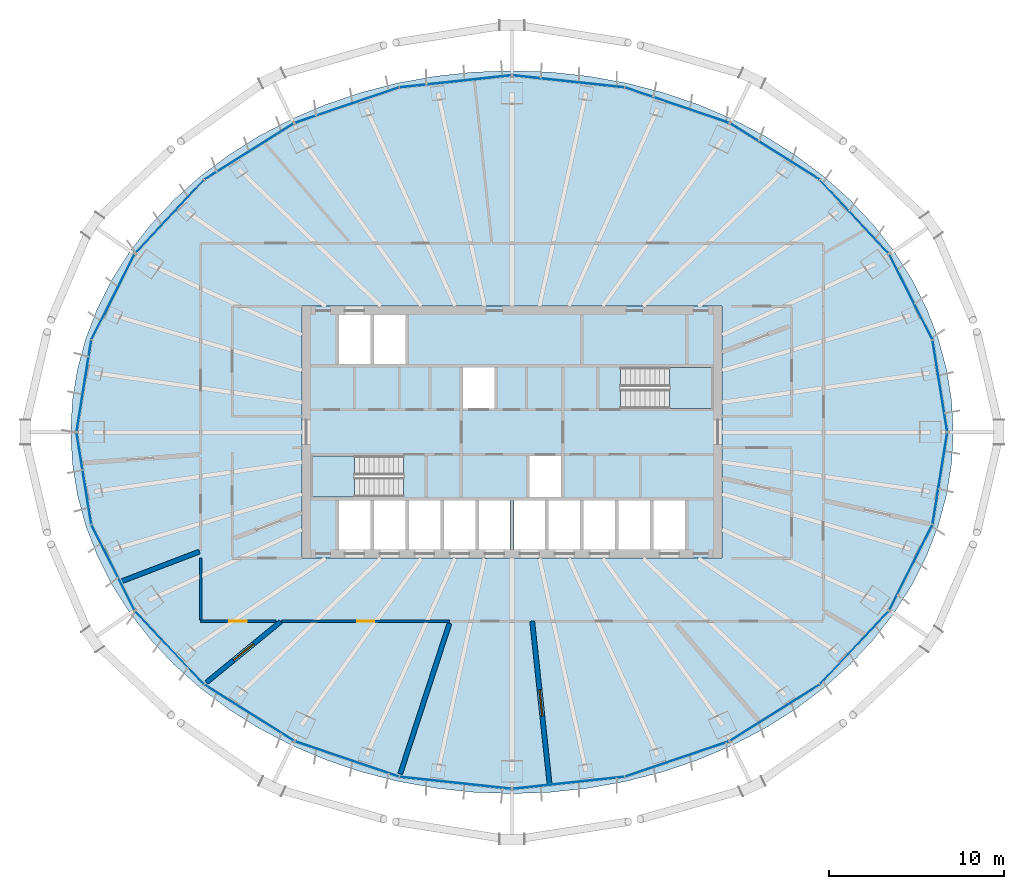
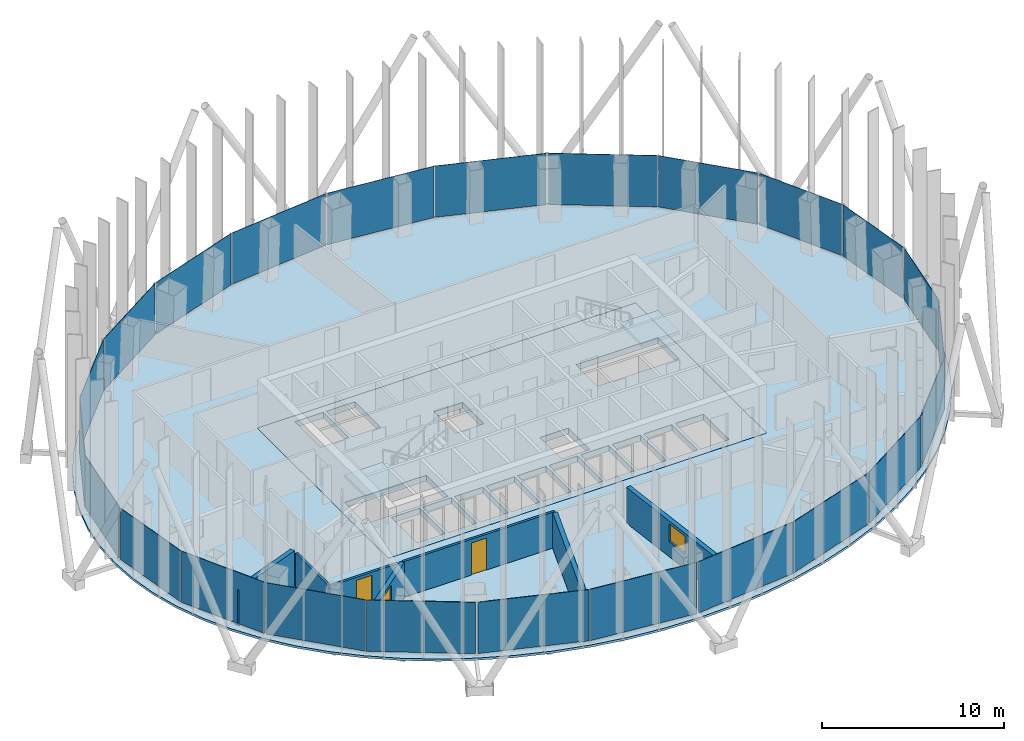
# One storey, part 7 of 19: 24 plates, 7 walls, 4 slabs, 2 doors, 2 windows, 4 openings, 14 elements without a shape of their own.
"""IFC4 building model written with IfcOpenShell, lengths in metres."""

from ifc_helpers import new_model, si_unit, direction, frame, frame_2d, origin, origin_2d, place, context, subcontext, project, spatial, polyline, rectangle, outline, extrude, material, layer, layer_set, type_object, element, fill, aggregate, save


model = new_model("IFC4")

# Units and contexts
model_context = context("Model", 3, precision=1e-05, world=origin(), true_north=direction((0.0, 1.0)))
body_context = subcontext(model_context, "Body", "Model", "MODEL_VIEW")
ifc_project = project(units=[si_unit("LENGTHUNIT", "METRE"), si_unit("AREAUNIT", "SQUARE_METRE"), si_unit("VOLUMEUNIT", "CUBIC_METRE"), si_unit("PLANEANGLEUNIT", "RADIAN"), si_unit("MASSUNIT", "GRAM", prefix="KILO")], contexts=[model_context])

# Site, building, storey
site_placement = place(None, origin())
site = spatial("IfcSite", under=ifc_project, at=site_placement, CompositionType="ELEMENT")
building_placement = place(site_placement, origin())
building = spatial("IfcBuilding", under=site, at=building_placement, Name="Siaravel Broadcast Tower", CompositionType="ELEMENT")
storey_placement = place(building_placement, frame((0.0, 0.0, 130.39990234375)))
storey = spatial("IfcBuildingStorey", under=building, at=storey_placement, Name="L31", CompositionType="ELEMENT", Elevation=130.39990234375)

# Curtain wall, plates
ifc_material_1 = material(Name="Aluminium 6063-T6", Category="aluminium")
ifc_layer_1 = layer(ifc_material_1, 0.199951171875)
ifc_layer_set_1 = layer_set([ifc_layer_1], Name="Aluminium 6063-T6")
curtain_wall_type = type_object("IfcCurtainWallType", Name="Unitised curtain wall, zone 2", PredefinedType="NOTDEFINED", material=ifc_layer_set_1)
curtain_wall_1_placement = place(storey_placement, origin())
curtain_wall_1 = element("IfcCurtainWall", 1, at=curtain_wall_1_placement, inside=storey, type_object=curtain_wall_type, Name="L31 Unitised curtain wall, zone 2 01", PredefinedType="NOTDEFINED")
ifc_material_2 = material(Name="Tinted laminated glass", Category="glass")
ifc_layer_2 = layer(ifc_material_2, 0.030029296875)
ifc_layer_set_2 = layer_set([ifc_layer_2], Name="Tinted laminated glass")
plate_type = type_object("IfcPlateType", Name="CW-Z2 glass panel", PredefinedType="CURTAIN_PANEL", material=ifc_layer_set_2)
plate_1_placement = place(storey_placement, frame((24.4599609375, 2.656494140625, 0.110107421875), z_axis=(0.0, 0.0, 1.0), x_axis=(-0.158684773, 0.987329298, 0.0)))
plate_1 = element("IfcPlate", 2, at=plate_1_placement, type_object=plate_type, Name="CW-Z2 glass panel", PredefinedType="CURTAIN_PANEL", context=body_context, shape_type="SweptSolid", body=[
    extrude(rectangle(XDim=5.251220703125, YDim=0.030029296875, at=origin_2d()), origin(), (0.0, 0.0, 1.0), 3.43994140625),
])
plate_2_placement = place(storey_placement, frame((22.801513671875, 7.7265625, 0.110107421875), z_axis=(0.0, 0.0, 1.0), x_axis=(-0.451259145, 0.892392954, 0.0)))
plate_2 = element("IfcPlate", 3, at=plate_2_placement, type_object=plate_type, Name="CW-Z2 glass panel", PredefinedType="CURTAIN_PANEL", context=body_context, shape_type="SweptSolid", body=[
    extrude(rectangle(XDim=5.415771484375, YDim=0.030029296875, at=origin_2d()), origin(), (0.0, 0.0, 1.0), 3.43994140625),
])
aggregate(curtain_wall_1, [plate_1, plate_2])

curtain_wall_2_placement = place(storey_placement, origin())
curtain_wall_2 = element("IfcCurtainWall", 4, at=curtain_wall_2_placement, inside=storey, type_object=curtain_wall_type, Name="L31 Unitised curtain wall, zone 2 02", PredefinedType="NOTDEFINED")
plate_3_placement = place(storey_placement, frame((19.56103515625, 12.324462890625, 0.110107421875), z_axis=(0.0, 0.0, 1.0), x_axis=(-0.683653326, 0.729806913, 0.0)))
plate_3 = element("IfcPlate", 5, at=plate_3_placement, type_object=plate_type, Name="CW-Z2 glass panel", PredefinedType="CURTAIN_PANEL", context=body_context, shape_type="SweptSolid", body=[
    extrude(rectangle(XDim=5.689453125, YDim=0.030029296875, at=origin_2d()), origin(), (0.0, 0.0, 1.0), 3.43994140625),
])
plate_4_placement = place(storey_placement, frame((15.03076171875, 16.035400390625, 0.110107421875), z_axis=(0.0, 0.0, 1.0), x_axis=(-0.846649374, 0.532151141, 0.0)))
plate_4 = element("IfcPlate", 6, at=plate_4_placement, type_object=plate_type, Name="CW-Z2 glass panel", PredefinedType="CURTAIN_PANEL", context=body_context, shape_type="SweptSolid", body=[
    extrude(rectangle(XDim=5.990234375, YDim=0.030029296875, at=origin_2d()), origin(), (0.0, 0.0, 1.0), 3.43994140625),
])
aggregate(curtain_wall_2, [plate_3, plate_4])

curtain_wall_3_placement = place(storey_placement, origin())
curtain_wall_3 = element("IfcCurtainWall", 7, at=curtain_wall_3_placement, inside=storey, type_object=curtain_wall_type, Name="L31 Unitised curtain wall, zone 2 03", PredefinedType="NOTDEFINED")
plate_5_placement = place(storey_placement, frame((9.424072265625, 18.68701171875, 0.110107421875), z_axis=(0.0, 0.0, 1.0), x_axis=(-0.946976749, 0.321302097, 0.0)))
plate_5 = element("IfcPlate", 8, at=plate_5_placement, type_object=plate_type, Name="CW-Z2 glass panel", PredefinedType="CURTAIN_PANEL", context=body_context, shape_type="SweptSolid", body=[
    extrude(rectangle(XDim=6.2392578125, YDim=0.030029296875, at=origin_2d()), origin(), (0.0, 0.0, 1.0), 3.43994140625),
])
plate_6_placement = place(storey_placement, frame((3.235595703125, 20.04541015625, 0.110107421875), z_axis=(0.0, 0.0, 1.0), x_axis=(-0.994235532, 0.107218035, 0.0)))
plate_6 = element("IfcPlate", 9, at=plate_6_placement, type_object=plate_type, Name="CW-Z2 glass panel", PredefinedType="CURTAIN_PANEL", context=body_context, shape_type="SweptSolid", body=[
    extrude(rectangle(XDim=6.37890625, YDim=0.030029296875, at=origin_2d()), origin(), (0.0, 0.0, 1.0), 3.43994140625),
])
aggregate(curtain_wall_3, [plate_5, plate_6])

curtain_wall_4_placement = place(storey_placement, origin())
curtain_wall_4 = element("IfcCurtainWall", 10, at=curtain_wall_4_placement, inside=storey, type_object=curtain_wall_type, Name="L31 Unitised curtain wall, zone 2 04", PredefinedType="NOTDEFINED")
plate_7_placement = place(storey_placement, frame((-3.235595703125, 20.04541015625, 0.110107421875), z_axis=(0.0, 0.0, 1.0), x_axis=(-0.994235532, -0.107218035, 0.0)))
plate_7 = element("IfcPlate", 11, at=plate_7_placement, type_object=plate_type, Name="CW-Z2 glass panel", PredefinedType="CURTAIN_PANEL", context=body_context, shape_type="SweptSolid", body=[
    extrude(rectangle(XDim=6.37890625, YDim=0.030029296875, at=origin_2d()), origin(), (0.0, 0.0, 1.0), 3.43994140625),
])
plate_8_placement = place(storey_placement, frame((-9.424072265625, 18.68701171875, 0.110107421875), z_axis=(0.0, 0.0, 1.0), x_axis=(-0.946976749, -0.321302097, 0.0)))
plate_8 = element("IfcPlate", 12, at=plate_8_placement, type_object=plate_type, Name="CW-Z2 glass panel", PredefinedType="CURTAIN_PANEL", context=body_context, shape_type="SweptSolid", body=[
    extrude(rectangle(XDim=6.2392578125, YDim=0.030029296875, at=origin_2d()), origin(), (0.0, 0.0, 1.0), 3.43994140625),
])
aggregate(curtain_wall_4, [plate_7, plate_8])

curtain_wall_5_placement = place(storey_placement, origin())
curtain_wall_5 = element("IfcCurtainWall", 13, at=curtain_wall_5_placement, inside=storey, type_object=curtain_wall_type, Name="L31 Unitised curtain wall, zone 2 05", PredefinedType="NOTDEFINED")
plate_9_placement = place(storey_placement, frame((-15.03076171875, 16.035400390625, 0.110107421875), z_axis=(0.0, 0.0, 1.0), x_axis=(-0.846649374, -0.532151141, 0.0)))
plate_9 = element("IfcPlate", 14, at=plate_9_placement, type_object=plate_type, Name="CW-Z2 glass panel", PredefinedType="CURTAIN_PANEL", context=body_context, shape_type="SweptSolid", body=[
    extrude(rectangle(XDim=5.990234375, YDim=0.030029296875, at=origin_2d()), origin(), (0.0, 0.0, 1.0), 3.43994140625),
])
plate_10_placement = place(storey_placement, frame((-19.56103515625, 12.324462890625, 0.110107421875), z_axis=(0.0, 0.0, 1.0), x_axis=(-0.683653326, -0.729806913, 0.0)))
plate_10 = element("IfcPlate", 15, at=plate_10_placement, type_object=plate_type, Name="CW-Z2 glass panel", PredefinedType="CURTAIN_PANEL", context=body_context, shape_type="SweptSolid", body=[
    extrude(rectangle(XDim=5.689453125, YDim=0.030029296875, at=origin_2d()), origin(), (0.0, 0.0, 1.0), 3.43994140625),
])
aggregate(curtain_wall_5, [plate_9, plate_10])

curtain_wall_6_placement = place(storey_placement, origin())
curtain_wall_6 = element("IfcCurtainWall", 16, at=curtain_wall_6_placement, inside=storey, type_object=curtain_wall_type, Name="L31 Unitised curtain wall, zone 2 06", PredefinedType="NOTDEFINED")
plate_11_placement = place(storey_placement, frame((-22.801513671875, 7.7265625, 0.110107421875), z_axis=(0.0, 0.0, 1.0), x_axis=(-0.451259145, -0.892392954, 0.0)))
plate_11 = element("IfcPlate", 17, at=plate_11_placement, type_object=plate_type, Name="CW-Z2 glass panel", PredefinedType="CURTAIN_PANEL", context=body_context, shape_type="SweptSolid", body=[
    extrude(rectangle(XDim=5.415771484375, YDim=0.030029296875, at=origin_2d()), origin(), (0.0, 0.0, 1.0), 3.43994140625),
])
plate_12_placement = place(storey_placement, frame((-24.4599609375, 2.656494140625, 0.110107421875), z_axis=(0.0, 0.0, 1.0), x_axis=(-0.158684773, -0.987329298, 0.0)))
plate_12 = element("IfcPlate", 18, at=plate_12_placement, type_object=plate_type, Name="CW-Z2 glass panel", PredefinedType="CURTAIN_PANEL", context=body_context, shape_type="SweptSolid", body=[
    extrude(rectangle(XDim=5.251220703125, YDim=0.030029296875, at=origin_2d()), origin(), (0.0, 0.0, 1.0), 3.43994140625),
])
aggregate(curtain_wall_6, [plate_11, plate_12])

curtain_wall_7_placement = place(storey_placement, origin())
curtain_wall_7 = element("IfcCurtainWall", 19, at=curtain_wall_7_placement, inside=storey, type_object=curtain_wall_type, Name="L31 Unitised curtain wall, zone 2 07", PredefinedType="NOTDEFINED")
plate_13_placement = place(storey_placement, frame((-24.4599609375, -2.656494140625, 0.110107421875), z_axis=(0.0, 0.0, 1.0), x_axis=(0.158684773, -0.987329298, 0.0)))
plate_13 = element("IfcPlate", 20, at=plate_13_placement, type_object=plate_type, Name="CW-Z2 glass panel", PredefinedType="CURTAIN_PANEL", context=body_context, shape_type="SweptSolid", body=[
    extrude(rectangle(XDim=5.251220703125, YDim=0.030029296875, at=origin_2d()), origin(), (0.0, 0.0, 1.0), 3.43994140625),
])
plate_14_placement = place(storey_placement, frame((-22.801513671875, -7.7265625, 0.110107421875), z_axis=(0.0, 0.0, 1.0), x_axis=(0.451259145, -0.892392954, 0.0)))
plate_14 = element("IfcPlate", 21, at=plate_14_placement, type_object=plate_type, Name="CW-Z2 glass panel", PredefinedType="CURTAIN_PANEL", context=body_context, shape_type="SweptSolid", body=[
    extrude(rectangle(XDim=5.415771484375, YDim=0.030029296875, at=origin_2d()), origin(), (0.0, 0.0, 1.0), 3.43994140625),
])
aggregate(curtain_wall_7, [plate_13, plate_14])

curtain_wall_8_placement = place(storey_placement, origin())
curtain_wall_8 = element("IfcCurtainWall", 22, at=curtain_wall_8_placement, inside=storey, type_object=curtain_wall_type, Name="L31 Unitised curtain wall, zone 2 08", PredefinedType="NOTDEFINED")
plate_15_placement = place(storey_placement, frame((-19.56103515625, -12.324462890625, 0.110107421875), z_axis=(0.0, 0.0, 1.0), x_axis=(0.683653326, -0.729806913, 0.0)))
plate_15 = element("IfcPlate", 23, at=plate_15_placement, type_object=plate_type, Name="CW-Z2 glass panel", PredefinedType="CURTAIN_PANEL", context=body_context, shape_type="SweptSolid", body=[
    extrude(rectangle(XDim=5.689453125, YDim=0.030029296875, at=origin_2d()), origin(), (0.0, 0.0, 1.0), 3.43994140625),
])
plate_16_placement = place(storey_placement, frame((-15.03076171875, -16.035400390625, 0.110107421875), z_axis=(0.0, 0.0, 1.0), x_axis=(0.846649374, -0.532151141, 0.0)))
plate_16 = element("IfcPlate", 24, at=plate_16_placement, type_object=plate_type, Name="CW-Z2 glass panel", PredefinedType="CURTAIN_PANEL", context=body_context, shape_type="SweptSolid", body=[
    extrude(rectangle(XDim=5.990234375, YDim=0.030029296875, at=origin_2d()), origin(), (0.0, 0.0, 1.0), 3.43994140625),
])
aggregate(curtain_wall_8, [plate_15, plate_16])

curtain_wall_9_placement = place(storey_placement, origin())
curtain_wall_9 = element("IfcCurtainWall", 25, at=curtain_wall_9_placement, inside=storey, type_object=curtain_wall_type, Name="L31 Unitised curtain wall, zone 2 09", PredefinedType="NOTDEFINED")
plate_17_placement = place(storey_placement, frame((-9.424072265625, -18.68701171875, 0.110107421875), z_axis=(0.0, 0.0, 1.0), x_axis=(0.946976749, -0.321302097, 0.0)))
plate_17 = element("IfcPlate", 26, at=plate_17_placement, type_object=plate_type, Name="CW-Z2 glass panel", PredefinedType="CURTAIN_PANEL", context=body_context, shape_type="SweptSolid", body=[
    extrude(rectangle(XDim=6.2392578125, YDim=0.030029296875, at=origin_2d()), origin(), (0.0, 0.0, 1.0), 3.43994140625),
])
plate_18_placement = place(storey_placement, frame((-3.235595703125, -20.04541015625, 0.110107421875), z_axis=(0.0, 0.0, 1.0), x_axis=(0.994235532, -0.107218035, 0.0)))
plate_18 = element("IfcPlate", 27, at=plate_18_placement, type_object=plate_type, Name="CW-Z2 glass panel", PredefinedType="CURTAIN_PANEL", context=body_context, shape_type="SweptSolid", body=[
    extrude(rectangle(XDim=6.37890625, YDim=0.030029296875, at=origin_2d()), origin(), (0.0, 0.0, 1.0), 3.43994140625),
])
aggregate(curtain_wall_9, [plate_17, plate_18])

curtain_wall_10_placement = place(storey_placement, origin())
curtain_wall_10 = element("IfcCurtainWall", 28, at=curtain_wall_10_placement, inside=storey, type_object=curtain_wall_type, Name="L31 Unitised curtain wall, zone 2 10", PredefinedType="NOTDEFINED")
plate_19_placement = place(storey_placement, frame((3.235595703125, -20.04541015625, 0.110107421875), z_axis=(0.0, 0.0, 1.0), x_axis=(0.994235532, 0.107218035, 0.0)))
plate_19 = element("IfcPlate", 29, at=plate_19_placement, type_object=plate_type, Name="CW-Z2 glass panel", PredefinedType="CURTAIN_PANEL", context=body_context, shape_type="SweptSolid", body=[
    extrude(rectangle(XDim=6.37890625, YDim=0.030029296875, at=origin_2d()), origin(), (0.0, 0.0, 1.0), 3.43994140625),
])
plate_20_placement = place(storey_placement, frame((9.424072265625, -18.68701171875, 0.110107421875), z_axis=(0.0, 0.0, 1.0), x_axis=(0.946976749, 0.321302097, 0.0)))
plate_20 = element("IfcPlate", 30, at=plate_20_placement, type_object=plate_type, Name="CW-Z2 glass panel", PredefinedType="CURTAIN_PANEL", context=body_context, shape_type="SweptSolid", body=[
    extrude(rectangle(XDim=6.2392578125, YDim=0.030029296875, at=origin_2d()), origin(), (0.0, 0.0, 1.0), 3.43994140625),
])
aggregate(curtain_wall_10, [plate_19, plate_20])

curtain_wall_11_placement = place(storey_placement, origin())
curtain_wall_11 = element("IfcCurtainWall", 31, at=curtain_wall_11_placement, inside=storey, type_object=curtain_wall_type, Name="L31 Unitised curtain wall, zone 2 11", PredefinedType="NOTDEFINED")
plate_21_placement = place(storey_placement, frame((15.03076171875, -16.035400390625, 0.110107421875), z_axis=(0.0, 0.0, 1.0), x_axis=(0.846649374, 0.532151141, 0.0)))
plate_21 = element("IfcPlate", 32, at=plate_21_placement, type_object=plate_type, Name="CW-Z2 glass panel", PredefinedType="CURTAIN_PANEL", context=body_context, shape_type="SweptSolid", body=[
    extrude(rectangle(XDim=5.990234375, YDim=0.030029296875, at=origin_2d()), origin(), (0.0, 0.0, 1.0), 3.43994140625),
])
plate_22_placement = place(storey_placement, frame((19.56103515625, -12.324462890625, 0.110107421875), z_axis=(0.0, 0.0, 1.0), x_axis=(0.683653326, 0.729806913, 0.0)))
plate_22 = element("IfcPlate", 33, at=plate_22_placement, type_object=plate_type, Name="CW-Z2 glass panel", PredefinedType="CURTAIN_PANEL", context=body_context, shape_type="SweptSolid", body=[
    extrude(rectangle(XDim=5.689453125, YDim=0.030029296875, at=origin_2d()), origin(), (0.0, 0.0, 1.0), 3.43994140625),
])
aggregate(curtain_wall_11, [plate_21, plate_22])

curtain_wall_12_placement = place(storey_placement, origin())
curtain_wall_12 = element("IfcCurtainWall", 34, at=curtain_wall_12_placement, inside=storey, type_object=curtain_wall_type, Name="L31 Unitised curtain wall, zone 2 12", PredefinedType="NOTDEFINED")
plate_23_placement = place(storey_placement, frame((22.801513671875, -7.7265625, 0.110107421875), z_axis=(0.0, 0.0, 1.0), x_axis=(0.451259145, 0.892392954, 0.0)))
plate_23 = element("IfcPlate", 35, at=plate_23_placement, type_object=plate_type, Name="CW-Z2 glass panel", PredefinedType="CURTAIN_PANEL", context=body_context, shape_type="SweptSolid", body=[
    extrude(rectangle(XDim=5.415771484375, YDim=0.030029296875, at=origin_2d()), origin(), (0.0, 0.0, 1.0), 3.43994140625),
])
plate_24_placement = place(storey_placement, frame((24.4599609375, -2.656494140625, 0.110107421875), z_axis=(0.0, 0.0, 1.0), x_axis=(0.158684773, 0.987329298, 0.0)))
plate_24 = element("IfcPlate", 36, at=plate_24_placement, type_object=plate_type, Name="CW-Z2 glass panel", PredefinedType="CURTAIN_PANEL", context=body_context, shape_type="SweptSolid", body=[
    extrude(rectangle(XDim=5.251220703125, YDim=0.030029296875, at=origin_2d()), origin(), (0.0, 0.0, 1.0), 3.43994140625),
])
aggregate(curtain_wall_12, [plate_23, plate_24])

# Slabs
ifc_material_3 = material(Name="Concrete C40/50", Category="concrete")
ifc_layer_3 = layer(ifc_material_3, 0.39990234375)
ifc_layer_set_3 = layer_set([ifc_layer_3], Name="Concrete C40/50")
slab_type_1 = type_object("IfcSlabType", Name="Core floor slab 400", PredefinedType="FLOOR", material=ifc_layer_set_3)
slab_1_placement = place(storey_placement, frame((0.0, 0.0, -0.39990234375)))
element("IfcSlab", 37, at=slab_1_placement, inside=storey, type_object=slab_type_1, Name="L31 core floor", PredefinedType="FLOOR", context=body_context, shape_type="SweptSolid", body=[
    extrude(outline(polyline([(-12.0, -7.199951171875), (-12.0, 7.199951171875), (12.0, 7.199951171875), (12.0, -7.199951171875), (-12.0, -7.199951171875)]), holes=[polyline([(11.3994140625, 1.3505859375), (11.3994140625, 3.699462890625), (6.200439453125, 3.699462890625), (6.200439453125, 1.3505859375), (11.3994140625, 1.3505859375)]), polyline([(9.89990234375, -3.89990234375), (8.10009765625, -3.89990234375), (8.10009765625, -6.699951171875), (9.89990234375, -6.699951171875), (9.89990234375, -3.89990234375)]), polyline([(7.89990234375, -3.89990234375), (6.10009765625, -3.89990234375), (6.10009765625, -6.699951171875), (7.89990234375, -6.699951171875), (7.89990234375, -3.89990234375)]), polyline([(5.89990234375, -3.89990234375), (4.10009765625, -3.89990234375), (4.10009765625, -6.699951171875), (5.89990234375, -6.699951171875), (5.89990234375, -3.89990234375)]), polyline([(3.89990234375, -3.89990234375), (2.10009765625, -3.89990234375), (2.10009765625, -6.699951171875), (3.89990234375, -6.699951171875), (3.89990234375, -3.89990234375)]), polyline([(2.800048828125, -1.35009765625), (1.0, -1.35009765625), (1.0, -3.699951171875), (2.800048828125, -3.699951171875), (2.800048828125, -1.35009765625)]), polyline([(1.89990234375, -3.89990234375), (0.10009765625, -3.89990234375), (0.10009765625, -6.699951171875), (1.89990234375, -6.699951171875), (1.89990234375, -3.89990234375)]), polyline([(-0.10009765625, -3.89990234375), (-1.89990234375, -3.89990234375), (-1.89990234375, -6.699951171875), (-0.10009765625, -6.699951171875), (-0.10009765625, -3.89990234375)]), polyline([(-1.0, 3.699951171875), (-2.800048828125, 3.699951171875), (-2.800048828125, 1.35009765625), (-1.0, 1.35009765625), (-1.0, 3.699951171875)]), polyline([(-2.10009765625, -3.89990234375), (-3.89990234375, -3.89990234375), (-3.89990234375, -6.699951171875), (-2.10009765625, -6.699951171875), (-2.10009765625, -3.89990234375)]), polyline([(-4.10009765625, -3.89990234375), (-5.89990234375, -3.89990234375), (-5.89990234375, -6.699951171875), (-4.10009765625, -6.699951171875), (-4.10009765625, -3.89990234375)]), polyline([(-6.10009765625, -3.89990234375), (-7.89990234375, -3.89990234375), (-7.89990234375, -6.699951171875), (-6.10009765625, -6.699951171875), (-6.10009765625, -3.89990234375)]), polyline([(-6.10009765625, 6.699951171875), (-7.89990234375, 6.699951171875), (-7.89990234375, 3.89990234375), (-6.10009765625, 3.89990234375), (-6.10009765625, 6.699951171875)]), polyline([(-11.3994140625, -1.3505859375), (-11.3994140625, -3.699462890625), (-6.200439453125, -3.699462890625), (-6.200439453125, -1.3505859375), (-11.3994140625, -1.3505859375)]), polyline([(-8.10009765625, -3.89990234375), (-9.89990234375, -3.89990234375), (-9.89990234375, -6.699951171875), (-8.10009765625, -6.699951171875), (-8.10009765625, -3.89990234375)]), polyline([(-8.10009765625, 6.699951171875), (-9.89990234375, 6.699951171875), (-9.89990234375, 3.89990234375), (-8.10009765625, 3.89990234375), (-8.10009765625, 6.699951171875)])]), origin(), (0.0, 0.0, 1.0), 0.39990234375),
])
ifc_layer_4 = layer(ifc_material_3, 0.14990234375)
ifc_layer_set_4 = layer_set([ifc_layer_4], Name="Concrete C40/50")
slab_type_2 = type_object("IfcSlabType", Name="SLB-FLOOR-150", PredefinedType="FLOOR", material=ifc_layer_set_4)
slab_2_placement = place(storey_placement, frame((0.0, 0.0, -0.14990234375)))
element("IfcSlab", 38, at=slab_2_placement, inside=storey, type_object=slab_type_2, Name="Floor slab", PredefinedType="FLOOR", context=body_context, shape_type="SweptSolid", body=[
    extrude(outline(polyline([(25.22119140625, 0.0), (25.125, 1.800537109375), (24.837890625, 3.58740234375), (24.36181640625, 5.346923828125), (23.7001953125, 7.06591796875), (22.858154296875, 8.730712890625), (21.842041015625, 10.329345703125), (20.659912109375, 11.849609375), (19.320556640625, 13.279296875), (17.833984375, 14.60791015625), (16.2119140625, 15.82568359375), (14.46630859375, 16.9228515625), (12.610595703125, 17.89111328125), (10.658935546875, 18.723388671875), (8.626220703125, 19.4130859375), (6.527587890625, 19.955078125), (4.379638671875, 20.344970703125), (2.1982421875, 20.580322265625), (0.0, 20.658935546875), (-2.1982421875, 20.580322265625), (-4.379638671875, 20.344970703125), (-6.527587890625, 19.955078125), (-8.626220703125, 19.4130859375), (-10.658935546875, 18.723388671875), (-12.610595703125, 17.89111328125), (-14.46630859375, 16.9228515625), (-16.2119140625, 15.82568359375), (-17.833984375, 14.60791015625), (-19.320556640625, 13.279296875), (-20.659912109375, 11.849609375), (-21.842041015625, 10.329345703125), (-22.858154296875, 8.730712890625), (-23.7001953125, 7.06591796875), (-24.36181640625, 5.346923828125), (-24.837890625, 3.58740234375), (-25.125, 1.800537109375), (-25.22119140625, 0.0), (-25.125, -1.800537109375), (-24.837890625, -3.58740234375), (-24.36181640625, -5.346923828125), (-23.7001953125, -7.06591796875), (-22.858154296875, -8.730712890625), (-21.842041015625, -10.32958984375), (-20.659912109375, -11.849609375), (-19.320556640625, -13.279296875), (-17.833984375, -14.60791015625), (-16.2119140625, -15.82568359375), (-14.46630859375, -16.9228515625), (-12.610595703125, -17.89111328125), (-10.658935546875, -18.723388671875), (-8.626220703125, -19.4130859375), (-6.527587890625, -19.955078125), (-4.379638671875, -20.344970703125), (-2.1982421875, -20.580322265625), (0.0, -20.658935546875), (2.1982421875, -20.580322265625), (4.379638671875, -20.344970703125), (6.527587890625, -19.955078125), (8.626220703125, -19.4130859375), (10.658935546875, -18.723388671875), (12.610595703125, -17.89111328125), (14.46630859375, -16.9228515625), (16.2119140625, -15.82568359375), (17.833984375, -14.60791015625), (19.320556640625, -13.279296875), (20.659912109375, -11.849609375), (21.842041015625, -10.32958984375), (22.858154296875, -8.730712890625), (23.7001953125, -7.06591796875), (24.36181640625, -5.346923828125), (24.837890625, -3.58740234375), (25.125, -1.800537109375), (25.22119140625, 0.0)]), holes=[polyline([(-12.0, 7.199951171875), (12.0, 7.199951171875), (12.0, -7.199951171875), (-12.0, -7.199951171875), (-12.0, 7.199951171875)])]), origin(), (0.0, 0.0, 1.0), 0.14990234375),
])

# Stair, slab
stair_type = type_object("IfcStairType", Name="Core exit stair", PredefinedType="HALF_TURN_STAIR", material=ifc_material_3)
stair_1_placement = place(storey_placement, origin())
stair_1 = element("IfcStair", 39, at=stair_1_placement, inside=storey, type_object=stair_type, Name="L31 Exit stair ST-1", PredefinedType="HALF_TURN_STAIR")
ifc_layer_5 = layer(ifc_material_3, 0.199951171875)
ifc_layer_set_5 = layer_set([ifc_layer_5], Name="Concrete C40/50")
slab_type_3 = type_object("IfcSlabType", Name="Stair landing", PredefinedType="LANDING", material=ifc_layer_set_5)
slab_3_placement = place(storey_placement, frame((0.0, 0.0, 1.650146484375)))
slab_3 = element("IfcSlab", 40, at=slab_3_placement, type_object=slab_type_3, Name="ST-1 landing 1", PredefinedType="LANDING", context=body_context, shape_type="SweptSolid", body=[
    extrude(outline(polyline([(-9.0, -1.35009765625), (-11.39990234375, -1.35009765625), (-11.39990234375, -3.699951171875), (-9.0, -3.699951171875), (-9.0, -1.35009765625)])), origin(), (0.0, 0.0, 1.0), 0.199951171875),
])
aggregate(stair_1, [slab_3])

stair_2_placement = place(storey_placement, origin())
stair_2 = element("IfcStair", 41, at=stair_2_placement, inside=storey, type_object=stair_type, Name="L31 Exit stair ST-2", PredefinedType="HALF_TURN_STAIR")
slab_4_placement = place(storey_placement, frame((0.0, 0.0, 1.650146484375)))
slab_4 = element("IfcSlab", 42, at=slab_4_placement, type_object=slab_type_3, Name="ST-2 landing 1", PredefinedType="LANDING", context=body_context, shape_type="SweptSolid", body=[
    extrude(outline(polyline([(9.0, 1.35009765625), (11.39990234375, 1.35009765625), (11.39990234375, 3.699951171875), (9.0, 3.699951171875), (9.0, 1.35009765625)])), origin(), (0.0, 0.0, 1.0), 0.199951171875),
])
aggregate(stair_2, [slab_4])

# Wall, opening, window
ifc_material_4 = material(Name="Double-leaf acoustic partition", Category="gypsum")
ifc_layer_6 = layer(ifc_material_4, 0.280029296875)
ifc_layer_set_6 = layer_set([ifc_layer_6], Name="Double-leaf acoustic partition")
wall_type_1 = type_object("IfcWallType", Name="Acoustic double-leaf wall 280", PredefinedType="PARTITIONING", material=ifc_layer_set_6)
wall_1_placement = place(storey_placement, frame((2.152099609375, -20.147705078125, 0.0), z_axis=(0.0, 0.0, 1.0), x_axis=(-0.106217678, 0.994342901, 0.0)))
wall_1 = element("IfcWall", 43, at=wall_1_placement, inside=storey, type_object=wall_type_1, Name="L31 partition 5", PredefinedType="PARTITIONING", context=body_context, shape_type="SweptSolid", body=[
    extrude(rectangle(XDim=9.40087890625, YDim=0.280029296875, at=frame_2d((4.700439453125, 0.0))), origin(), (0.0, 0.0, 1.0), 2.400146484375),
])
opening_1_placement = place(wall_1_placement, frame((3.950439453125, 0.0, 1.0)))
opening_1 = element("IfcOpeningElement", 44, at=opening_1_placement, cuts=wall_1, Name="Opening L31-W04", PredefinedType="OPENING", context=body_context, shape_type="SweptSolid", body=[
    extrude(rectangle(XDim=1.5, YDim=1.199951171875, at=frame_2d((0.75, 0.60009765625))), frame((0.0, 0.14990234375, 0.0), z_axis=(0.0, -1.0, 0.0), x_axis=(1.0, 0.0, 0.0)), (0.0, 0.0, 1.0), 0.300048828125),
])
ifc_material_5 = material(Name="Laminated acoustic glass", Category="glass")
window_type = type_object("IfcWindowType", Name="Studio viewing window 1500", PartitioningType="SINGLE_PANEL", PredefinedType="WINDOW", material=ifc_material_5)
window_1_placement = place(opening_1_placement, origin())
window_1 = element("IfcWindow", 45, at=window_1_placement, inside=storey, type_object=window_type, Name="L31 viewing window to Viewing theatre", OverallHeight=1.199951171875, OverallWidth=1.5, PartitioningType="SINGLE_PANEL", PredefinedType="WINDOW", context=body_context, shape_type="SweptSolid", body=[
    extrude(rectangle(XDim=1.5, YDim=1.199951171875, at=frame_2d((0.75, 0.60009765625))), frame((0.0, 0.030029296875, 0.0), z_axis=(0.0, -1.0, 0.0), x_axis=(1.0, 0.0, 0.0)), (0.0, 0.0, 1.0), 0.06005859375),
])
fill(opening_1, window_1)

# Wall
wall_2_placement = place(storey_placement, frame((-6.390625, -19.535888671875, 0.0), z_axis=(0.0, 0.0, 1.0), x_axis=(0.310914325, 0.950437943, 0.0)))
element("IfcWall", 46, at=wall_2_placement, inside=storey, type_object=wall_type_1, Name="L31 partition 6", PredefinedType="PARTITIONING", context=body_context, shape_type="SweptSolid", body=[
    extrude(rectangle(XDim=9.064697265625, YDim=0.280029296875, at=frame_2d((4.5322265625, 0.0))), origin(), (0.0, 0.0, 1.0), 2.400146484375),
])

# Wall, opening, window
wall_3_placement = place(storey_placement, frame((-17.466796875, -14.307373046875, 0.0), z_axis=(0.0, 0.0, 1.0), x_axis=(0.773600248, 0.633673935, 0.0)))
wall_3 = element("IfcWall", 47, at=wall_3_placement, inside=storey, type_object=wall_type_1, Name="L31 partition 17", PredefinedType="PARTITIONING", context=body_context, shape_type="SweptSolid", body=[
    extrude(rectangle(XDim=5.485595703125, YDim=0.280029296875, at=frame_2d((2.74267578125, 0.0))), origin(), (0.0, 0.0, 1.0), 2.400146484375),
])
opening_2_placement = place(wall_3_placement, frame((1.992919921875, 0.0, 1.0)))
opening_2 = element("IfcOpeningElement", 48, at=opening_2_placement, cuts=wall_3, Name="Opening L31-W03", PredefinedType="OPENING", context=body_context, shape_type="SweptSolid", body=[
    extrude(rectangle(XDim=1.5, YDim=1.199951171875, at=frame_2d((0.75, 0.60009765625))), frame((0.0, 0.14990234375, 0.0), z_axis=(0.0, -1.0, 0.0), x_axis=(1.0, 0.0, 0.0)), (0.0, 0.0, 1.0), 0.300048828125),
])
window_2_placement = place(opening_2_placement, origin())
window_2 = element("IfcWindow", 49, at=window_2_placement, inside=storey, type_object=window_type, Name="L31 viewing window to Post-production room", OverallHeight=1.199951171875, OverallWidth=1.5, PartitioningType="SINGLE_PANEL", PredefinedType="WINDOW", context=body_context, shape_type="SweptSolid", body=[
    extrude(rectangle(XDim=1.5, YDim=1.199951171875, at=frame_2d((0.75, 0.60009765625))), frame((0.0, 0.030029296875, 0.0), z_axis=(0.0, -1.0, 0.0), x_axis=(1.0, 0.0, 0.0)), (0.0, 0.0, 1.0), 0.06005859375),
])
fill(opening_2, window_2)

# Wall
wall_4_placement = place(storey_placement, frame((-22.3955078125, -8.55419921875, 0.0), z_axis=(0.0, 0.0, 1.0), x_axis=(0.934184204, 0.356791077, 0.0)))
element("IfcWall", 50, at=wall_4_placement, inside=storey, type_object=wall_type_1, Name="L31 partition 21", PredefinedType="PARTITIONING", context=body_context, shape_type="SweptSolid", body=[
    extrude(rectangle(XDim=4.847412109375, YDim=0.280029296875, at=frame_2d((2.423828125, 0.0))), origin(), (0.0, 0.0, 1.0), 2.400146484375),
])

# Wall, opening, door
ifc_material_6 = material(Name="Gypsum board partition", Category="gypsum")
ifc_layer_7 = layer(ifc_material_6, 0.14990234375)
ifc_layer_set_7 = layer_set([ifc_layer_7], Name="Gypsum board partition")
wall_type_2 = type_object("IfcWallType", Name="Corridor wall 150", PredefinedType="PARTITIONING", material=ifc_layer_set_7)
wall_5_placement = place(storey_placement, frame((-13.184814453125, -10.800048828125, 0.0), z_axis=(0.0, 0.0, 1.0), x_axis=(1.0, 0.0, 0.0)))
wall_5 = element("IfcWall", 51, at=wall_5_placement, inside=storey, type_object=wall_type_2, Name="L31 partition 3", PredefinedType="PARTITIONING", context=body_context, shape_type="SweptSolid", body=[
    extrude(rectangle(XDim=9.65185546875, YDim=0.14990234375, at=frame_2d((4.825927734375, 0.0))), origin(), (0.0, 0.0, 1.0), 2.400146484375),
])
opening_3_placement = place(wall_5_placement, frame((4.35107421875, 0.0, 0.0)))
opening_3 = element("IfcOpeningElement", 52, at=opening_3_placement, cuts=wall_5, Name="Opening L31-010", PredefinedType="OPENING", context=body_context, shape_type="SweptSolid", body=[
    extrude(rectangle(XDim=0.949951171875, YDim=2.14990234375, at=frame_2d((0.47509765625, 1.074951171875))), frame((0.0, 0.0849609375, 0.0), z_axis=(0.0, -1.0, 0.0), x_axis=(1.0, 0.0, 0.0)), (0.0, 0.0, 1.0), 0.169921875),
])
ifc_material_7 = material(Name="Timber veneer", Category="wood")
door_type_1 = type_object("IfcDoorType", Name="Office door 950", OperationType="SINGLE_SWING_LEFT", PredefinedType="DOOR", material=ifc_material_7)
door_1_placement = place(opening_3_placement, origin())
door_1 = element("IfcDoor", 53, at=door_1_placement, inside=storey, type_object=door_type_1, Name="L31 door to Design studio", OperationType="SINGLE_SWING_RIGHT", OverallHeight=2.14990234375, OverallWidth=0.949951171875, PredefinedType="DOOR", context=body_context, shape_type="SweptSolid", body=[
    extrude(rectangle(XDim=0.949951171875, YDim=2.14990234375, at=frame_2d((0.47509765625, 1.074951171875))), frame((0.0, 0.02490234375, 0.0), z_axis=(0.0, -1.0, 0.0), x_axis=(1.0, 0.0, 0.0)), (0.0, 0.0, 1.0), 0.050048828125),
])
fill(opening_3, door_1)

wall_6_placement = place(storey_placement, frame((-17.800048828125, -10.800048828125, 0.0), z_axis=(0.0, 0.0, 1.0), x_axis=(1.0, 0.0, 0.0)))
wall_6 = element("IfcWall", 54, at=wall_6_placement, inside=storey, type_object=wall_type_2, Name="L31 partition 23", PredefinedType="PARTITIONING", context=body_context, shape_type="SweptSolid", body=[
    extrude(rectangle(XDim=4.300537109375, YDim=0.14990234375, at=frame_2d((2.150390625, 0.0))), origin(), (0.0, 0.0, 1.0), 2.400146484375),
])
opening_4_placement = place(wall_6_placement, frame((1.650390625, 0.0, 0.0)))
opening_4 = element("IfcOpeningElement", 55, at=opening_4_placement, cuts=wall_6, Name="Opening L31-008", PredefinedType="OPENING", context=body_context, shape_type="SweptSolid", body=[
    extrude(rectangle(XDim=1.0, YDim=2.199951171875, at=frame_2d((0.5, 1.10009765625))), frame((0.0, 0.0849609375, 0.0), z_axis=(0.0, -1.0, 0.0), x_axis=(1.0, 0.0, 0.0)), (0.0, 0.0, 1.0), 0.169921875),
])
ifc_material_8 = material(Name="Acoustic timber and steel", Category="steel")
door_type_2 = type_object("IfcDoorType", Name="Acoustic door 1000", OperationType="SINGLE_SWING_LEFT", PredefinedType="DOOR", material=ifc_material_8)
door_2_placement = place(opening_4_placement, origin())
door_2 = element("IfcDoor", 56, at=door_2_placement, inside=storey, type_object=door_type_2, Name="L31 door to Post-production room", OperationType="SINGLE_SWING_RIGHT", OverallHeight=2.199951171875, OverallWidth=1.0, PredefinedType="DOOR", context=body_context, shape_type="SweptSolid", body=[
    extrude(rectangle(XDim=1.0, YDim=2.199951171875, at=frame_2d((0.5, 1.10009765625))), frame((0.0, 0.02490234375, 0.0), z_axis=(0.0, -1.0, 0.0), x_axis=(1.0, 0.0, 0.0)), (0.0, 0.0, 1.0), 0.050048828125),
])
fill(opening_4, door_2)

# Wall
wall_7_placement = place(storey_placement, frame((-17.800048828125, -7.18798828125, 0.0), z_axis=(0.0, 0.0, 1.0), x_axis=(0.0, -1.0, 0.0)))
element("IfcWall", 57, at=wall_7_placement, inside=storey, type_object=wall_type_2, Name="L31 partition 33", PredefinedType="PARTITIONING", context=body_context, shape_type="SweptSolid", body=[
    extrude(rectangle(XDim=3.534912109375, YDim=0.14990234375, at=frame_2d((1.767578125, 0.0))), origin(), (0.0, 0.0, 1.0), 2.400146484375),
])

save(model, "model.ifc")
